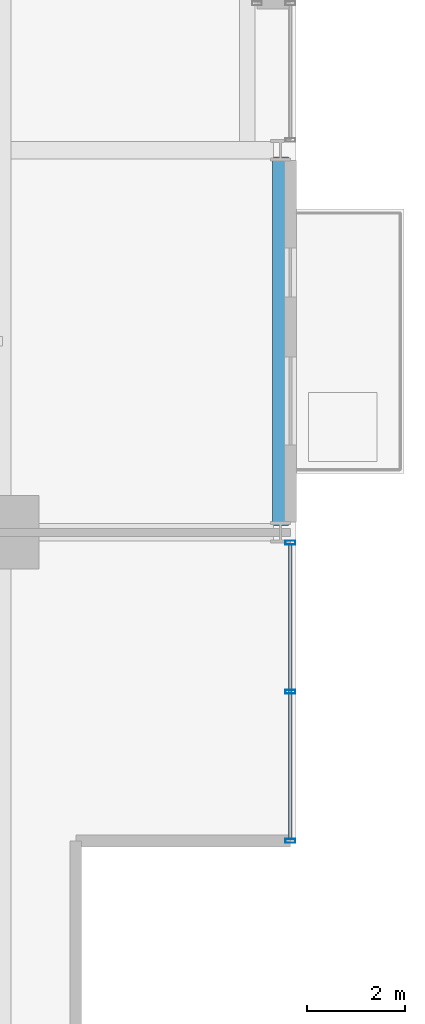
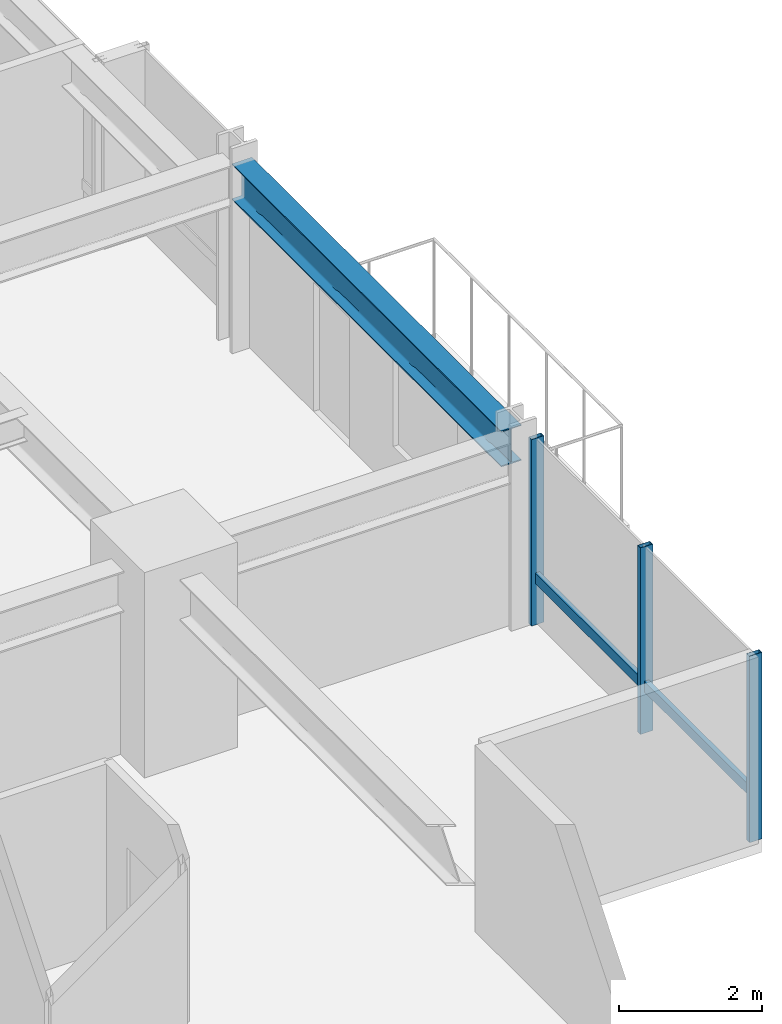
# One storey, part 13 of 35: 4 members, 1 beam, 1 element without a shape of its own.
"""IFC4 building model written with IfcOpenShell, lengths in metres."""

from ifc_helpers import new_model, si_unit, direction, frame, origin, origin_2d, place, context, subcontext, project, spatial, hollow_rectangle, i_section, extrude, material, layer, layer_set, material_profile, profile_set, type_object, element, aggregate, save


model = new_model("IFC4")

# Units and contexts
model_context = context("Model", 3, precision=1e-05, world=origin(), true_north=direction((0.0, 1.0)))
body_context = subcontext(model_context, "Body", "Model", "MODEL_VIEW")
ifc_project = project(units=[si_unit("LENGTHUNIT", "METRE"), si_unit("AREAUNIT", "SQUARE_METRE"), si_unit("VOLUMEUNIT", "CUBIC_METRE"), si_unit("PLANEANGLEUNIT", "RADIAN"), si_unit("MASSUNIT", "GRAM", prefix="KILO")], contexts=[model_context])

# Site, building, storey
site_placement = place(None, origin())
site = spatial("IfcSite", under=ifc_project, at=site_placement, CompositionType="ELEMENT")
building_placement = place(site_placement, origin())
building = spatial("IfcBuilding", under=site, at=building_placement, Name="Drelvath Grand Hotel", CompositionType="ELEMENT")
storey_placement = place(building_placement, frame((0.0, 0.0, 137.300048828125)))
storey = spatial("IfcBuildingStorey", under=building, at=storey_placement, Name="L35", CompositionType="ELEMENT", Elevation=137.300048828125)

# Curtain wall, members
ifc_material_1 = material(Name="Champagne Bronze Anodised Aluminium Frame", Category="aluminium")
ifc_layer = layer(ifc_material_1, 0.199951171875)
ifc_layer_set = layer_set([ifc_layer], Name="Champagne Bronze Anodised Aluminium Frame")
curtain_wall_type = type_object("IfcCurtainWallType", Name="Stick Curtain Wall CW-03 Champagne Bronze Mid-Rise", PredefinedType="NOTDEFINED", material=ifc_layer_set)
curtain_wall_placement = place(storey_placement, origin())
curtain_wall = element("IfcCurtainWall", 1, at=curtain_wall_placement, inside=storey, type_object=curtain_wall_type, Name="L35 CW-03 Curtain Wall CW03-L35-ES1", PredefinedType="NOTDEFINED")
ifc_material_profile_1 = material_profile(ifc_material_1, hollow_rectangle(XDim=0.074951171875, YDim=0.179931640625, WallThickness=0.0048828125, at=origin_2d()), Name="HSS180X75X5")
ifc_profile_set_1 = profile_set([ifc_material_profile_1], Name="Champagne Bronze Anodised Aluminium Frame")
member_type_1 = type_object("IfcMemberType", Name="Curtain Wall Horizontal Transom CW-03 HSS180X75X5", PredefinedType="USERDEFINED", material=ifc_profile_set_1)
member_1_placement = place(storey_placement, frame((22.080078125, 10.550537109375, 0.794921875), z_axis=(0.0, -1.0, 0.0), x_axis=(1.0, 0.0, 0.0)))
member_1 = element("IfcMember", 2, at=member_1_placement, type_object=member_type_1, Name="CW03-L35-ES1 Sill Transom", ObjectType="TRANSOM", PredefinedType="USERDEFINED", context=body_context, shape_type="SweptSolid", body=[
    extrude(hollow_rectangle(XDim=0.074951171875, YDim=0.179931640625, WallThickness=0.0048828125, at=origin_2d()), origin(), (0.0, 0.0, 1.0), 6.010498046875),
])
ifc_material_profile_2 = material_profile(ifc_material_1, hollow_rectangle(XDim=0.080078125, YDim=0.199951171875, WallThickness=0.0048828125, at=origin_2d()), Name="HSS200X80X5")
ifc_profile_set_2 = profile_set([ifc_material_profile_2], Name="Champagne Bronze Anodised Aluminium Frame")
member_type_2 = type_object("IfcMemberType", Name="Curtain Wall Vertical Mullion CW-03 HSS200X80X5", PredefinedType="MULLION", material=ifc_profile_set_2)
member_2_placement = place(storey_placement, frame((22.080078125, 10.590576171875, 0.0), z_axis=(0.0, 0.0, 1.0), x_axis=(0.0, 1.0, 0.0)))
member_2 = element("IfcMember", 3, at=member_2_placement, type_object=member_type_2, Name="CW03-L35-ES1 Mullion 1", PredefinedType="MULLION", context=body_context, shape_type="SweptSolid", body=[
    extrude(hollow_rectangle(XDim=0.080078125, YDim=0.199951171875, WallThickness=0.0048828125, at=origin_2d()), origin(), (0.0, 0.0, 1.0), 3.179931640625),
])
member_3_placement = place(storey_placement, frame((22.080078125, 7.54541015625, 0.0), z_axis=(0.0, 0.0, 1.0), x_axis=(0.0, 1.0, 0.0)))
member_3 = element("IfcMember", 4, at=member_3_placement, type_object=member_type_2, Name="CW03-L35-ES1 Mullion 2", PredefinedType="MULLION", context=body_context, shape_type="SweptSolid", body=[
    extrude(hollow_rectangle(XDim=0.080078125, YDim=0.199951171875, WallThickness=0.0048828125, at=origin_2d()), origin(), (0.0, 0.0, 1.0), 3.179931640625),
])
member_4_placement = place(storey_placement, frame((22.080078125, 4.5, 0.0), z_axis=(0.0, 0.0, 1.0), x_axis=(0.0, 1.0, 0.0)))
member_4 = element("IfcMember", 5, at=member_4_placement, type_object=member_type_2, Name="CW03-L35-ES1 Mullion 3", PredefinedType="MULLION", context=body_context, shape_type="SweptSolid", body=[
    extrude(hollow_rectangle(XDim=0.080078125, YDim=0.199951171875, WallThickness=0.0048828125, at=origin_2d()), origin(), (0.0, 0.0, 1.0), 3.179931640625),
])
aggregate(curtain_wall, [member_2, member_3, member_4, member_1])

# Beam
ifc_material_2 = material(Name="Steel ASTM A992 Gr 50", Category="steel")
ifc_material_profile_3 = material_profile(ifc_material_2, i_section(OverallWidth=0.323974609375, OverallDepth=0.611083984375, WebThickness=0.0126953125, FlangeThickness=0.01904296875, FilletRadius=0.02197265625, at=origin_2d()), Name="W24X104")
ifc_profile_set_3 = profile_set([ifc_material_profile_3], Name="Steel ASTM A992 Gr 50")
beam_type = type_object("IfcBeamType", Name="Perimeter Spandrel Beam W24X104", PredefinedType="SPANDREL", material=ifc_profile_set_3)
beam_placement = place(storey_placement, frame((21.8798828125, 10.93994140625, 2.874267578125), z_axis=(0.0, 1.0, 0.0), x_axis=(-1.0, 0.0, 0.0)))
element("IfcBeam", 6, at=beam_placement, inside=storey, type_object=beam_type, Name="L35 Spandrel East S", PredefinedType="SPANDREL", context=body_context, shape_type="SweptSolid", body=[
    extrude(i_section(OverallWidth=0.323974609375, OverallDepth=0.611083984375, WebThickness=0.0126953125, FlangeThickness=0.01904296875, FilletRadius=0.02197265625, at=origin_2d()), origin(), (0.0, 0.0, 1.0), 7.52001953125),
])

save(model, "model.ifc")
